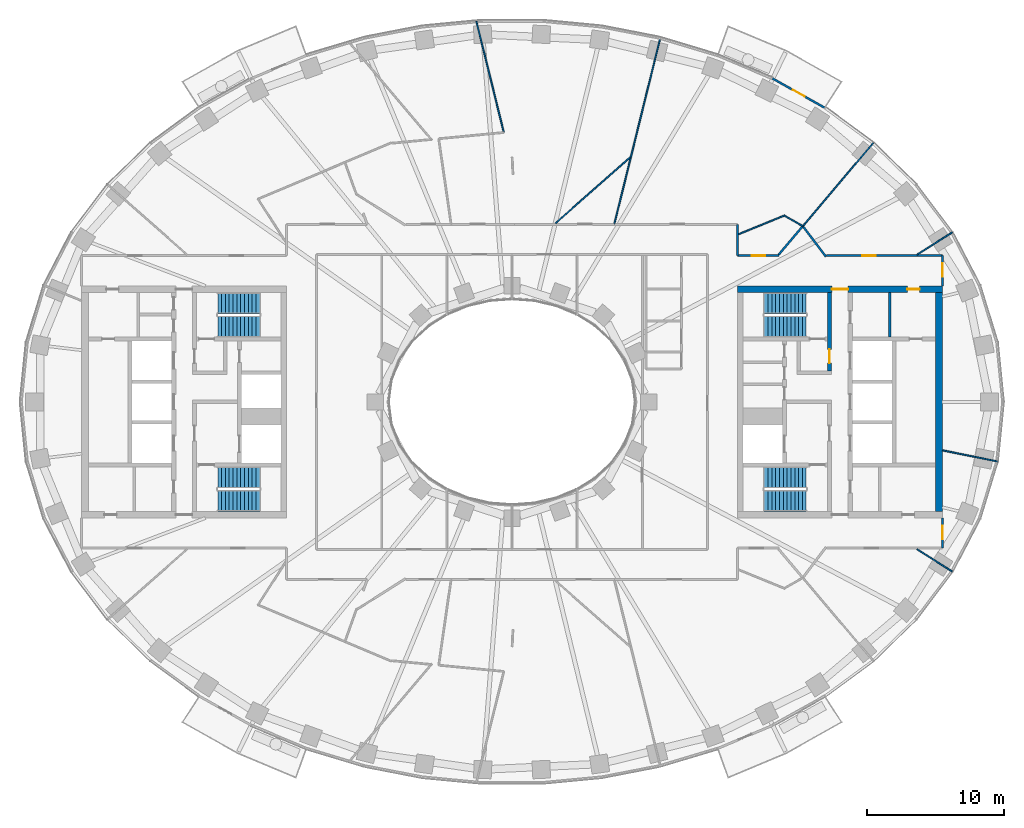
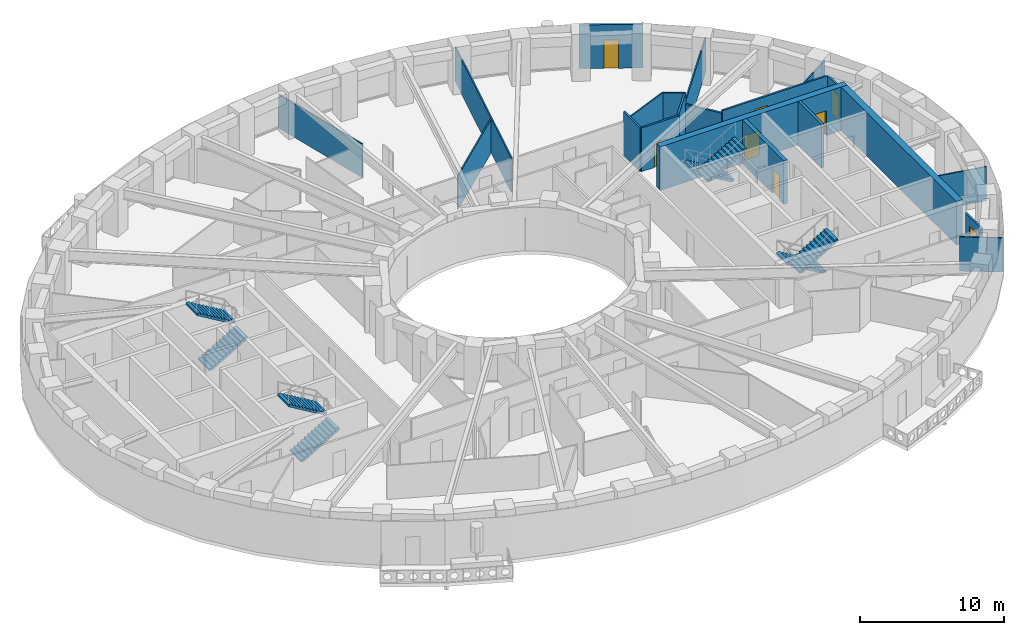
# One storey, part 7 of 15: 21 walls, 8 doors, 8 stair flights, 8 openings, 4 elements without a shape of their own.
"""IFC4 building model written with IfcOpenShell, lengths in metres."""

from ifc_helpers import new_model, si_unit, direction, frame, frame_2d, origin, place, context, subcontext, project, spatial, polyline, rectangle, outline, extrude, material, layer, layer_set, type_object, element, fill, aggregate, save


model = new_model("IFC4")

# Units and contexts
model_context = context("Model", 3, precision=1e-05, world=origin(), true_north=direction((0.0, 1.0)))
body_context = subcontext(model_context, "Body", "Model", "MODEL_VIEW")
ifc_project = project(units=[si_unit("LENGTHUNIT", "METRE"), si_unit("AREAUNIT", "SQUARE_METRE"), si_unit("VOLUMEUNIT", "CUBIC_METRE"), si_unit("PLANEANGLEUNIT", "RADIAN"), si_unit("MASSUNIT", "GRAM", prefix="KILO")], contexts=[model_context])

# Site, building, storey
site_placement = place(None, origin())
site = spatial("IfcSite", under=ifc_project, at=site_placement, CompositionType="ELEMENT")
building_placement = place(site_placement, origin())
building = spatial("IfcBuilding", under=site, at=building_placement, Name="Noorbagh Ring Tower", CompositionType="ELEMENT")
storey_placement = place(building_placement, frame((0.0, 0.0, 92.0)))
storey = spatial("IfcBuildingStorey", under=building, at=storey_placement, Name="L20", CompositionType="ELEMENT", Elevation=92.0)

# Wall
ifc_material_1 = material(Name="Gypsum board on steel studs", Category="steel")
ifc_layer_1 = layer(ifc_material_1, 0.199951171875)
ifc_layer_set_1 = layer_set([ifc_layer_1], Name="Gypsum board on steel studs")
wall_type_1 = type_object("IfcWallType", Name="CORE-PARTITION-200", PredefinedType="PARTITIONING", material=ifc_layer_set_1)
wall_1_placement = place(storey_placement, frame((27.64990234375, 4.75, 0.0), z_axis=(0.0, 0.0, 1.0), x_axis=(0.0, 1.0, 0.0)))
element("IfcWall", 1, at=wall_1_placement, inside=storey, type_object=wall_type_1, Name="Core partition E", PredefinedType="PARTITIONING", context=body_context, shape_type="SweptSolid", body=[
    extrude(rectangle(XDim=3.25, YDim=0.199951171875, at=frame_2d((1.625, 0.0))), origin(), (0.0, 0.0, 1.0), 3.699951171875),
])

# Wall, opening, door
ifc_material_2 = material(Name="Concrete C70/85", Category="concrete")
ifc_layer_2 = layer(ifc_material_2, 0.300048828125)
ifc_layer_set_2 = layer_set([ifc_layer_2], Name="Concrete C70/85")
wall_type_2 = type_object("IfcWallType", Name="CORE-WALL-300-C70-85-EI240", PredefinedType="SHEAR", material=ifc_layer_set_2)
wall_2_placement = place(storey_placement, frame((23.22998046875, 2.25, 0.0), z_axis=(0.0, 0.0, 1.0), x_axis=(0.0, 1.0, 0.0)))
wall_2 = element("IfcWall", 2, at=wall_2_placement, inside=storey, type_object=wall_type_2, Name="Core wall E", PredefinedType="SHEAR", context=body_context, shape_type="SweptSolid", body=[
    extrude(rectangle(XDim=5.75, YDim=0.300048828125, at=frame_2d((2.875, 0.0))), origin(), (0.0, 0.0, 1.0), 3.699951171875),
])
opening_1_placement = place(wall_2_placement, frame((0.60009765625, 0.0, 0.0)))
opening_1 = element("IfcOpeningElement", 3, at=opening_1_placement, cuts=wall_2, Name="Opening L20-CE08", PredefinedType="OPENING", context=body_context, shape_type="SweptSolid", body=[
    extrude(rectangle(XDim=1.0, YDim=2.10009765625, at=frame_2d((0.5, 1.050048828125))), frame((0.0, 0.16015625, 0.0), z_axis=(0.0, -1.0, 0.0), x_axis=(1.0, 0.0, 0.0)), (0.0, 0.0, 1.0), 0.320068359375),
])
ifc_material_3 = material(Name="Steel door leaf", Category="steel")
door_type_1 = type_object("IfcDoorType", Name="CORE-DOOR-DVEST", OperationType="SINGLE_SWING_LEFT", PredefinedType="DOOR", material=ifc_material_3)
door_1_placement = place(opening_1_placement, origin())
door_1 = element("IfcDoor", 4, at=door_1_placement, inside=storey, type_object=door_type_1, Name="Stair vestibule door L20-CE08", OperationType="SINGLE_SWING_RIGHT", OverallHeight=2.10009765625, OverallWidth=1.0, PredefinedType="DOOR", context=body_context, shape_type="SweptSolid", body=[
    extrude(rectangle(XDim=1.0, YDim=2.10009765625, at=frame_2d((0.5, 1.050048828125))), frame((0.0, 0.02490234375, 0.0), z_axis=(0.0, -1.0, 0.0), x_axis=(1.0, 0.0, 0.0)), (0.0, 0.0, 1.0), 0.050048828125),
])
fill(opening_1, door_1)

# Wall, openings, doors
ifc_material_4 = material(Name="Concrete C70/85", Category="concrete")
ifc_layer_3 = layer(ifc_material_4, 0.5)
ifc_layer_set_3 = layer_set([ifc_layer_3], Name="Concrete C70/85")
wall_type_3 = type_object("IfcWallType", Name="CORE-WALL-500-C70-85-EI240", PredefinedType="SHEAR", material=ifc_layer_set_3)
wall_3_placement = place(storey_placement, frame((16.5, 8.25, 0.0), z_axis=(0.0, 0.0, 1.0), x_axis=(1.0, 0.0, 0.0)))
wall_3 = element("IfcWall", 5, at=wall_3_placement, inside=storey, type_object=wall_type_3, Name="Core wall E", PredefinedType="SHEAR", context=body_context, shape_type="SweptSolid", body=[
    extrude(rectangle(XDim=15.0, YDim=0.5, at=frame_2d((7.5, 0.0))), origin(), (0.0, 0.0, 1.0), 3.699951171875),
])
opening_2_placement = place(wall_3_placement, frame((6.89990234375, 0.0, 0.0)))
opening_2 = element("IfcOpeningElement", 6, at=opening_2_placement, cuts=wall_3, Name="Opening L20-CE09", PredefinedType="OPENING", context=body_context, shape_type="SweptSolid", body=[
    extrude(rectangle(XDim=1.199951171875, YDim=2.10009765625, at=frame_2d((0.60009765625, 1.050048828125))), frame((0.0, 0.260009765625, 0.0), z_axis=(0.0, -1.0, 0.0), x_axis=(1.0, 0.0, 0.0)), (0.0, 0.0, 1.0), 0.52001953125),
])
opening_3_placement = place(wall_3_placement, frame((12.425048828125, 0.0, 0.0)))
opening_3 = element("IfcOpeningElement", 7, at=opening_3_placement, cuts=wall_3, Name="Opening L20-CE15", PredefinedType="OPENING", context=body_context, shape_type="SweptSolid", body=[
    extrude(rectangle(XDim=0.89990234375, YDim=2.10009765625, at=frame_2d((0.449951171875, 1.050048828125))), frame((0.0, 0.260009765625, 0.0), z_axis=(0.0, -1.0, 0.0), x_axis=(1.0, 0.0, 0.0)), (0.0, 0.0, 1.0), 0.52001953125),
])
ifc_material_5 = material(Name="Steel door leaf", Category="steel")
door_type_2 = type_object("IfcDoorType", Name="CORE-DOOR-DROOM", OperationType="SINGLE_SWING_LEFT", PredefinedType="DOOR", material=ifc_material_5)
door_2_placement = place(opening_3_placement, origin())
door_2 = element("IfcDoor", 8, at=door_2_placement, inside=storey, type_object=door_type_2, Name="Core room door L20-CE15", OperationType="SINGLE_SWING_LEFT", OverallHeight=2.10009765625, OverallWidth=0.89990234375, PredefinedType="DOOR", context=body_context, shape_type="SweptSolid", body=[
    extrude(rectangle(XDim=0.89990234375, YDim=2.10009765625, at=frame_2d((0.449951171875, 1.050048828125))), frame((0.0, 0.02490234375, 0.0), z_axis=(0.0, -1.0, 0.0), x_axis=(1.0, 0.0, 0.0)), (0.0, 0.0, 1.0), 0.050048828125),
])
fill(opening_3, door_2)
ifc_material_6 = material(Name="Steel door leaf", Category="steel")
door_type_3 = type_object("IfcDoorType", Name="CORE-DOOR-PORT", OperationType="DOUBLE_DOOR_DOUBLE_SWING", PredefinedType="DOOR", material=ifc_material_6)
door_3_placement = place(opening_2_placement, origin())
door_3 = element("IfcDoor", 9, at=door_3_placement, inside=storey, type_object=door_type_3, Name="Core entrance door L20-CE09", OperationType="DOUBLE_DOOR_DOUBLE_SWING", OverallHeight=2.10009765625, OverallWidth=1.199951171875, PredefinedType="DOOR", context=body_context, shape_type="SweptSolid", body=[
    extrude(rectangle(XDim=1.199951171875, YDim=2.10009765625, at=frame_2d((0.60009765625, 1.050048828125))), frame((0.0, 0.02490234375, 0.0), z_axis=(0.0, -1.0, 0.0), x_axis=(1.0, 0.0, 0.0)), (0.0, 0.0, 1.0), 0.050048828125),
])
fill(opening_2, door_3)

# Walls
wall_4_placement = place(storey_placement, frame((31.25, -8.0, 0.0), z_axis=(0.0, 0.0, 1.0), x_axis=(0.0, 1.0, 0.0)))
element("IfcWall", 10, at=wall_4_placement, inside=storey, type_object=wall_type_3, Name="Core wall E", PredefinedType="SHEAR", context=body_context, shape_type="SweptSolid", body=[
    extrude(rectangle(XDim=16.0, YDim=0.5, at=frame_2d((8.0, 0.0))), origin(), (0.0, 0.0, 1.0), 3.699951171875),
])
ifc_material_7 = material(Name="Gypsum board on steel studs", Category="steel")
ifc_layer_4 = layer(ifc_material_7, 0.14990234375)
ifc_layer_set_4 = layer_set([ifc_layer_4], Name="Gypsum board on steel studs")
wall_type_4 = type_object("IfcWallType", Name="CORRIDOR PARTITION 150 EI 30", PredefinedType="PARTITIONING", material=ifc_layer_set_4)
wall_5_placement = place(storey_placement, frame((16.5, 10.699951171875, 0.0), z_axis=(0.0, 0.0, 1.0), x_axis=(0.0, 1.0, 0.0)))
element("IfcWall", 11, at=wall_5_placement, inside=storey, type_object=wall_type_4, Name="L20/wall/P72", PredefinedType="PARTITIONING", context=body_context, shape_type="SweptSolid", body=[
    extrude(rectangle(XDim=2.300048828125, YDim=0.14990234375, at=frame_2d((1.14990234375, 0.0))), origin(), (0.0, 0.0, 1.0), 3.699951171875),
])

# Wall, opening, door
wall_6_placement = place(storey_placement, frame((16.5, 10.699951171875, 0.0), z_axis=(0.0, 0.0, 1.0), x_axis=(1.0, 0.0, 0.0)))
wall_6 = element("IfcWall", 12, at=wall_6_placement, inside=storey, type_object=wall_type_4, Name="L20/wall/P73", PredefinedType="PARTITIONING", context=body_context, shape_type="SweptSolid", body=[
    extrude(rectangle(XDim=3.04296875, YDim=0.14990234375, at=frame_2d((1.521484375, 0.0))), origin(), (0.0, 0.0, 1.0), 3.699951171875),
])
opening_4_placement = place(wall_6_placement, frame((1.044921875, 0.0, 0.0)))
opening_4 = element("IfcOpeningElement", 13, at=opening_4_placement, cuts=wall_6, Name="Opening D1", PredefinedType="OPENING", context=body_context, shape_type="SweptSolid", body=[
    extrude(rectangle(XDim=1.0, YDim=2.10009765625, at=frame_2d((0.5, 1.050048828125))), frame((0.0, 0.0849609375, 0.0), z_axis=(0.0, -1.0, 0.0), x_axis=(1.0, 0.0, 0.0)), (0.0, 0.0, 1.0), 0.169921875),
])
ifc_material_8 = material(Name="Timber, painted", Category="wood")
door_type_4 = type_object("IfcDoorType", Name="DOOR 1000 X 2100 FD30", OperationType="SINGLE_SWING_LEFT", PredefinedType="DOOR", material=ifc_material_8)
door_4_placement = place(opening_4_placement, origin())
door_4 = element("IfcDoor", 14, at=door_4_placement, inside=storey, type_object=door_type_4, Name="L20-D21", OperationType="SINGLE_SWING_LEFT", OverallHeight=2.10009765625, OverallWidth=1.0, PredefinedType="DOOR", context=body_context, shape_type="SweptSolid", body=[
    extrude(rectangle(XDim=1.0, YDim=2.10009765625, at=frame_2d((0.5, 1.050048828125))), frame((0.0, 0.02490234375, 0.0), z_axis=(0.0, -1.0, 0.0), x_axis=(1.0, 0.0, 0.0)), (0.0, 0.0, 1.0), 0.050048828125),
])
fill(opening_4, door_4)

# Walls
wall_7_placement = place(storey_placement, frame((19.510986328125, 10.778076171875, 0.0), z_axis=(0.0, 0.0, 1.0), x_axis=(0.64641426768, 0.762986628021, 0.0)))
element("IfcWall", 15, at=wall_7_placement, inside=storey, type_object=wall_type_4, Name="L20/wall/P77", PredefinedType="PARTITIONING", context=body_context, shape_type="SweptSolid", body=[
    extrude(rectangle(XDim=2.735107421875, YDim=0.14990234375, at=frame_2d((1.36767578125, 0.0))), origin(), (0.0, 0.0, 1.0), 3.699951171875),
])
wall_8_placement = place(storey_placement, frame((21.279052734375, 12.864990234375, 0.0), z_axis=(0.0, 0.0, 1.0), x_axis=(0.603433696796, -0.797413176196, 0.0)))
element("IfcWall", 16, at=wall_8_placement, inside=storey, type_object=wall_type_4, Name="L20/wall/P82", PredefinedType="PARTITIONING", context=body_context, shape_type="SweptSolid", body=[
    extrude(rectangle(XDim=2.805419921875, YDim=0.14990234375, at=frame_2d((1.40283203125, 0.0))), origin(), (0.0, 0.0, 1.0), 2.75),
])

# Wall, opening, door
wall_9_placement = place(storey_placement, frame((23.010986328125, 10.699951171875, 0.0), z_axis=(0.0, 0.0, 1.0), x_axis=(1.0, 0.0, 0.0)))
wall_9 = element("IfcWall", 17, at=wall_9_placement, inside=storey, type_object=wall_type_4, Name="L20/wall/P85", PredefinedType="PARTITIONING", context=body_context, shape_type="SweptSolid", body=[
    extrude(rectangle(XDim=8.489013671875, YDim=0.14990234375, at=frame_2d((4.24462890625, 0.0))), origin(), (0.0, 0.0, 1.0), 2.89990234375),
])
opening_5_placement = place(wall_9_placement, frame((2.610107421875, 0.0, 0.0)))
opening_5 = element("IfcOpeningElement", 18, at=opening_5_placement, cuts=wall_9, Name="Opening D1", PredefinedType="OPENING", context=body_context, shape_type="SweptSolid", body=[
    extrude(rectangle(XDim=1.0, YDim=2.10009765625, at=frame_2d((0.5, 1.050048828125))), frame((0.0, 0.0849609375, 0.0), z_axis=(0.0, -1.0, 0.0), x_axis=(1.0, 0.0, 0.0)), (0.0, 0.0, 1.0), 0.169921875),
])
door_5_placement = place(opening_5_placement, origin())
door_5 = element("IfcDoor", 19, at=door_5_placement, inside=storey, type_object=door_type_4, Name="L20-D23", OperationType="SINGLE_SWING_LEFT", OverallHeight=2.10009765625, OverallWidth=1.0, PredefinedType="DOOR", context=body_context, shape_type="SweptSolid", body=[
    extrude(rectangle(XDim=1.0, YDim=2.10009765625, at=frame_2d((0.5, 1.050048828125))), frame((0.0, 0.02490234375, 0.0), z_axis=(0.0, -1.0, 0.0), x_axis=(1.0, 0.0, 0.0)), (0.0, 0.0, 1.0), 0.050048828125),
])
fill(opening_5, door_5)

wall_10_placement = place(storey_placement, frame((31.5, -10.699951171875, 0.0), z_axis=(0.0, 0.0, 1.0), x_axis=(0.0, 1.0, 0.0)))
wall_10 = element("IfcWall", 20, at=wall_10_placement, inside=storey, type_object=wall_type_4, Name="L20/wall/P88", PredefinedType="PARTITIONING", context=body_context, shape_type="SweptSolid", body=[
    extrude(rectangle(XDim=2.199951171875, YDim=0.14990234375, at=frame_2d((1.10009765625, 0.0))), origin(), (0.0, 0.0, 1.0), 2.89990234375),
])
opening_6_placement = place(wall_10_placement, frame((0.64990234375, 0.0, 0.0)))
opening_6 = element("IfcOpeningElement", 21, at=opening_6_placement, cuts=wall_10, Name="Opening D1", PredefinedType="OPENING", context=body_context, shape_type="SweptSolid", body=[
    extrude(rectangle(XDim=1.0, YDim=2.10009765625, at=frame_2d((0.5, 1.050048828125))), frame((0.0, 0.0849609375, 0.0), z_axis=(0.0, -1.0, 0.0), x_axis=(1.0, 0.0, 0.0)), (0.0, 0.0, 1.0), 0.169921875),
])
door_6_placement = place(opening_6_placement, origin())
door_6 = element("IfcDoor", 22, at=door_6_placement, inside=storey, type_object=door_type_4, Name="L20-D24", OperationType="SINGLE_SWING_RIGHT", OverallHeight=2.10009765625, OverallWidth=1.0, PredefinedType="DOOR", context=body_context, shape_type="SweptSolid", body=[
    extrude(rectangle(XDim=1.0, YDim=2.10009765625, at=frame_2d((0.5, 1.050048828125))), frame((0.0, 0.02490234375, 0.0), z_axis=(0.0, -1.0, 0.0), x_axis=(1.0, 0.0, 0.0)), (0.0, 0.0, 1.0), 0.050048828125),
])
fill(opening_6, door_6)

wall_11_placement = place(storey_placement, frame((31.5, 8.5, 0.0), z_axis=(0.0, 0.0, 1.0), x_axis=(0.0, 1.0, 0.0)))
wall_11 = element("IfcWall", 23, at=wall_11_placement, inside=storey, type_object=wall_type_4, Name="L20/wall/P90", PredefinedType="PARTITIONING", context=body_context, shape_type="SweptSolid", body=[
    extrude(rectangle(XDim=2.199951171875, YDim=0.14990234375, at=frame_2d((1.10009765625, 0.0))), origin(), (0.0, 0.0, 1.0), 2.89990234375),
])
opening_7_placement = place(wall_11_placement, frame((0.64990234375, 0.0, 0.0)))
opening_7 = element("IfcOpeningElement", 24, at=opening_7_placement, cuts=wall_11, Name="Opening D1", PredefinedType="OPENING", context=body_context, shape_type="SweptSolid", body=[
    extrude(rectangle(XDim=1.0, YDim=2.10009765625, at=frame_2d((0.5, 1.050048828125))), frame((0.0, 0.0849609375, 0.0), z_axis=(0.0, -1.0, 0.0), x_axis=(1.0, 0.0, 0.0)), (0.0, 0.0, 1.0), 0.169921875),
])
door_7_placement = place(opening_7_placement, origin())
door_7 = element("IfcDoor", 25, at=door_7_placement, inside=storey, type_object=door_type_4, Name="L20-D25", OperationType="SINGLE_SWING_LEFT", OverallHeight=2.10009765625, OverallWidth=1.0, PredefinedType="DOOR", context=body_context, shape_type="SweptSolid", body=[
    extrude(rectangle(XDim=1.0, YDim=2.10009765625, at=frame_2d((0.5, 1.050048828125))), frame((0.0, 0.02490234375, 0.0), z_axis=(0.0, -1.0, 0.0), x_axis=(1.0, 0.0, 0.0)), (0.0, 0.0, 1.0), 0.050048828125),
])
fill(opening_7, door_7)

ifc_material_9 = material(Name="Insulated aluminium clad panel", Category="aluminium")
ifc_layer_5 = layer(ifc_material_9, 0.14990234375)
ifc_layer_set_5 = layer_set([ifc_layer_5], Name="Insulated aluminium clad panel")
wall_type_5 = type_object("IfcWallType", Name="ENV-WALL-DOOR", PredefinedType="STANDARD", material=ifc_layer_set_5)
wall_12_placement = place(storey_placement, frame((22.913330078125, 21.508544921875, 0.0), z_axis=(0.0, 0.0, 1.0), x_axis=(-0.872046572975, 0.489422899509, 0.0)))
wall_12 = element("IfcWall", 26, at=wall_12_placement, inside=storey, type_object=wall_type_5, Name="Balcony door wall chord 07", PredefinedType="STANDARD", context=body_context, shape_type="SweptSolid", body=[
    extrude(rectangle(XDim=4.425537109375, YDim=0.14990234375, at=frame_2d((2.212890625, 0.0))), origin(), (0.0, 0.0, 1.0), 3.699951171875),
])
opening_8_placement = place(wall_12_placement, frame((1.712646484375, 0.0, 0.0)))
opening_8 = element("IfcOpeningElement", 27, at=opening_8_placement, cuts=wall_12, Name="Opening D-BL", PredefinedType="OPENING", context=body_context, shape_type="SweptSolid", body=[
    extrude(rectangle(XDim=1.0, YDim=2.39990234375, at=frame_2d((0.5, 1.199951171875))), frame((0.0, 0.0849609375, 0.0), z_axis=(0.0, -1.0, 0.0), x_axis=(1.0, 0.0, 0.0)), (0.0, 0.0, 1.0), 0.169921875),
])
ifc_material_10 = material(Name="Aluminium and glass", Category="aluminium")
door_type_5 = type_object("IfcDoorType", Name="ENV-DOOR-BALCONY", OperationType="SINGLE_SWING_LEFT", PredefinedType="DOOR", material=ifc_material_10)
door_8_placement = place(opening_8_placement, origin())
door_8 = element("IfcDoor", 28, at=door_8_placement, inside=storey, type_object=door_type_5, Name="Balcony door chord 07", OperationType="SINGLE_SWING_LEFT", OverallHeight=2.39990234375, OverallWidth=1.0, PredefinedType="DOOR", context=body_context, shape_type="SweptSolid", body=[
    extrude(rectangle(XDim=1.0, YDim=2.39990234375, at=frame_2d((0.5, 1.199951171875))), frame((0.0, 0.02490234375, 0.0), z_axis=(0.0, -1.0, 0.0), x_axis=(1.0, 0.0, 0.0)), (0.0, 0.0, 1.0), 0.050048828125),
])
fill(opening_8, door_8)

# Walls
ifc_material_11 = material(Name="Gypsum board on steel studs", Category="steel")
ifc_layer_6 = layer(ifc_material_11, 0.10009765625)
ifc_layer_set_6 = layer_set([ifc_layer_6], Name="Gypsum board on steel studs")
wall_type_6 = type_object("IfcWallType", Name="PARTITION 100 GYPSUM", PredefinedType="PARTITIONING", material=ifc_layer_set_6)
wall_13_placement = place(storey_placement, frame((-2.60888671875, 27.85791015625, 0.0), z_axis=(0.0, 0.0, 1.0), x_axis=(0.239677840558, -0.970852477334, 0.0)))
element("IfcWall", 29, at=wall_13_placement, inside=storey, type_object=wall_type_6, Name="L20/wall/P43", PredefinedType="PARTITIONING", context=body_context, shape_type="SweptSolid", body=[
    extrude(rectangle(XDim=8.38525390625, YDim=0.10009765625, at=frame_2d((4.192626953125, 0.0))), origin(), (0.0, 0.0, 1.0), 2.85009765625),
])
wall_14_placement = place(storey_placement, frame((3.18701171875, 13.077880859375, 0.0), z_axis=(0.0, 0.0, 1.0), x_axis=(0.749027274438, 0.662539162728, 0.0)))
element("IfcWall", 30, at=wall_14_placement, inside=storey, type_object=wall_type_6, Name="L20/wall/P53", PredefinedType="PARTITIONING", context=body_context, shape_type="SweptSolid", body=[
    extrude(rectangle(XDim=7.282958984375, YDim=0.10009765625, at=frame_2d((3.6416015625, 0.0))), origin(), (0.0, 0.0, 1.0), 2.85009765625),
])
wall_15_placement = place(storey_placement, frame((7.48193359375, 13.0, 0.0), z_axis=(0.0, 0.0, 1.0), x_axis=(0.239829226485, 0.970815091623, 0.0)))
element("IfcWall", 31, at=wall_15_placement, inside=storey, type_object=wall_type_6, Name="L20/wall/P56", PredefinedType="PARTITIONING", context=body_context, shape_type="SweptSolid", body=[
    extrude(rectangle(XDim=14.05615234375, YDim=0.10009765625, at=frame_2d((7.028076171875, 0.0))), origin(), (0.0, 0.0, 1.0), 2.89990234375),
])
wall_16_placement = place(storey_placement, frame((16.5791015625, 12.27099609375, 0.0), z_axis=(0.0, 0.0, 1.0), x_axis=(0.925550138862, 0.378625065801, 0.0)))
element("IfcWall", 32, at=wall_16_placement, inside=storey, type_object=wall_type_6, Name="L20/wall/P75", PredefinedType="PARTITIONING", context=body_context, shape_type="SweptSolid", body=[
    extrude(rectangle(XDim=3.665771484375, YDim=0.10009765625, at=frame_2d((1.8330078125, 0.0))), origin(), (0.0, 0.0, 1.0), 3.699951171875),
])
wall_17_placement = place(storey_placement, frame((19.968994140625, 13.60400390625, 0.0), z_axis=(0.0, 0.0, 1.0), x_axis=(0.870976686736, -0.491324344158, 0.0)))
element("IfcWall", 33, at=wall_17_placement, inside=storey, type_object=wall_type_6, Name="L20/wall/P79", PredefinedType="PARTITIONING", context=body_context, shape_type="SweptSolid", body=[
    extrude(rectangle(XDim=1.504150390625, YDim=0.10009765625, at=frame_2d((0.751953125, 0.0))), origin(), (0.0, 0.0, 1.0), 3.699951171875),
])
wall_18_placement = place(storey_placement, frame((21.279052734375, 12.864990234375, 0.0), z_axis=(0.0, 0.0, 1.0), x_axis=(0.646395355102, 0.763002650652, 0.0)))
element("IfcWall", 34, at=wall_18_placement, inside=storey, type_object=wall_type_6, Name="L20/wall/P83", PredefinedType="PARTITIONING", context=body_context, shape_type="SweptSolid", body=[
    extrude(rectangle(XDim=7.968505859375, YDim=0.10009765625, at=frame_2d((3.984375, 0.0))), origin(), (0.0, 0.0, 1.0), 2.89990234375),
])
for number, where, z_axis, x_axis, name in (
    (35, (29.636962890625, -10.777099609375, 0.0), (0.0, 0.0, 1.0), (0.844810627195, -0.535065420467, 0.0), "L20/wall/P86"),
    (36, (29.636962890625, 10.777099609375, 0.0), (0.0, 0.0, 1.0), (0.844810627195, 0.535065420467, 0.0), "L20/wall/P87"),
):
    element("IfcWall", number, at=place(storey_placement, frame(where, z_axis=z_axis, x_axis=x_axis)), inside=storey, type_object=wall_type_6, Name=name, PredefinedType="PARTITIONING", context=body_context, shape_type="SweptSolid", body=[
        extrude(rectangle(XDim=3.0478515625, YDim=0.10009765625, at=frame_2d((1.52392578125, 0.0))), origin(), (0.0, 0.0, 1.0), 2.89990234375),
    ])
wall_19_placement = place(storey_placement, frame((31.5, -3.5419921875, 0.0), z_axis=(0.0, 0.0, 1.0), x_axis=(0.980357474535, -0.197228857227, 0.0)))
element("IfcWall", 37, at=wall_19_placement, inside=storey, type_object=wall_type_6, Name="L20/wall/P89", PredefinedType="PARTITIONING", context=body_context, shape_type="SweptSolid", body=[
    extrude(rectangle(XDim=4.09228515625, YDim=0.10009765625, at=frame_2d((2.046142578125, 0.0))), origin(), (0.0, 0.0, 1.0), 2.89990234375),
])

# Stair, stair flights
ifc_material_12 = material(Name="Concrete C40/50", Category="concrete")
stair_type = type_object("IfcStairType", Name="CORE-STAIR", PredefinedType="HALF_TURN_STAIR", material=ifc_material_12)
stair_1_placement = place(storey_placement, origin())
stair_1 = element("IfcStair", 38, at=stair_1_placement, inside=storey, type_object=stair_type, Name="L20 Exit stair ST1", PredefinedType="HALF_TURN_STAIR")
ifc_material_13 = material(Name="Concrete C40/50", Category="concrete")
stair_flight_type = type_object("IfcStairFlightType", Name="CORE-STAIR-FLIGHT", PredefinedType="STRAIGHT", material=ifc_material_13)
stair_flight_1_placement = place(storey_placement, frame((-21.530029296875, 5.52490234375, 0.0), z_axis=(0.0, 0.0, 1.0), x_axis=(1.0, 0.0, 0.0)))
stair_flight_1 = element("IfcStairFlight", 39, at=stair_flight_1_placement, type_object=stair_flight_type, Name="ST1 flight 1", NumberOfRisers=12, NumberOfTreads=11, PredefinedType="STRAIGHT", RiserHeight=0.166666667, TreadLength=0.28, context=body_context, shape_type="SweptSolid", body=[
    extrude(outline(polyline([(0.0, 0.0), (0.0, 0.166748046875), (0.280029296875, 0.166748046875), (0.280029296875, 0.333251953125), (0.56005859375, 0.333251953125), (0.56005859375, 0.5), (0.840087890625, 0.5), (0.840087890625, 0.666748046875), (1.1201171875, 0.666748046875), (1.1201171875, 0.833251953125), (1.39990234375, 0.833251953125), (1.39990234375, 1.0), (1.679931640625, 1.0), (1.679931640625, 1.166748046875), (1.9599609375, 1.166748046875), (1.9599609375, 1.333251953125), (2.239990234375, 1.333251953125), (2.239990234375, 1.5), (2.52001953125, 1.5), (2.52001953125, 1.666748046875), (2.800048828125, 1.666748046875), (2.800048828125, 1.833251953125), (3.080078125, 1.833251953125), (3.080078125, 2.0), (3.080078125, 1.658935546875), (0.29296875, 0.0), (0.0, 0.0)])), frame((0.0, 0.77490234375, 0.0), z_axis=(0.0, -1.0, 0.0), x_axis=(1.0, 0.0, 0.0)), (0.0, 0.0, 1.0), 1.550048828125),
])
stair_flight_2_placement = place(storey_placement, frame((-18.449951171875, 7.22509765625, 2.0), z_axis=(0.0, 0.0, 1.0), x_axis=(-1.0, 0.0, 0.0)))
stair_flight_2 = element("IfcStairFlight", 40, at=stair_flight_2_placement, type_object=stair_flight_type, Name="ST1 flight 2", NumberOfRisers=12, NumberOfTreads=11, PredefinedType="STRAIGHT", RiserHeight=0.166666667, TreadLength=0.28, context=body_context, shape_type="SweptSolid", body=[
    extrude(outline(polyline([(0.0, 0.0), (0.0, 0.166748046875), (0.280029296875, 0.166748046875), (0.280029296875, 0.333251953125), (0.56005859375, 0.333251953125), (0.56005859375, 0.5), (0.840087890625, 0.5), (0.840087890625, 0.666748046875), (1.1201171875, 0.666748046875), (1.1201171875, 0.833251953125), (1.39990234375, 0.833251953125), (1.39990234375, 1.0), (1.679931640625, 1.0), (1.679931640625, 1.166748046875), (1.9599609375, 1.166748046875), (1.9599609375, 1.333251953125), (2.239990234375, 1.333251953125), (2.239990234375, 1.5), (2.52001953125, 1.5), (2.52001953125, 1.666748046875), (2.800048828125, 1.666748046875), (2.800048828125, 1.833251953125), (3.080078125, 1.833251953125), (3.080078125, 2.0), (3.080078125, 1.658935546875), (0.29296875, 0.0), (0.0, 0.0)])), frame((0.0, 0.77490234375, 0.0), z_axis=(0.0, -1.0, 0.0), x_axis=(1.0, 0.0, 0.0)), (0.0, 0.0, 1.0), 1.550048828125),
])
aggregate(stair_1, [stair_flight_1, stair_flight_2])

stair_2_placement = place(storey_placement, origin())
stair_2 = element("IfcStair", 41, at=stair_2_placement, inside=storey, type_object=stair_type, Name="L20 Exit stair ST2", PredefinedType="HALF_TURN_STAIR")
stair_flight_3_placement = place(storey_placement, frame((-21.530029296875, -7.22509765625, 0.0), z_axis=(0.0, 0.0, 1.0), x_axis=(1.0, 0.0, 0.0)))
stair_flight_3 = element("IfcStairFlight", 42, at=stair_flight_3_placement, type_object=stair_flight_type, Name="ST2 flight 1", NumberOfRisers=12, NumberOfTreads=11, PredefinedType="STRAIGHT", RiserHeight=0.166666667, TreadLength=0.28, context=body_context, shape_type="SweptSolid", body=[
    extrude(outline(polyline([(0.0, 0.0), (0.0, 0.166748046875), (0.280029296875, 0.166748046875), (0.280029296875, 0.333251953125), (0.56005859375, 0.333251953125), (0.56005859375, 0.5), (0.840087890625, 0.5), (0.840087890625, 0.666748046875), (1.1201171875, 0.666748046875), (1.1201171875, 0.833251953125), (1.39990234375, 0.833251953125), (1.39990234375, 1.0), (1.679931640625, 1.0), (1.679931640625, 1.166748046875), (1.9599609375, 1.166748046875), (1.9599609375, 1.333251953125), (2.239990234375, 1.333251953125), (2.239990234375, 1.5), (2.52001953125, 1.5), (2.52001953125, 1.666748046875), (2.800048828125, 1.666748046875), (2.800048828125, 1.833251953125), (3.080078125, 1.833251953125), (3.080078125, 2.0), (3.080078125, 1.658935546875), (0.29296875, 0.0), (0.0, 0.0)])), frame((0.0, 0.77490234375, 0.0), z_axis=(0.0, -1.0, 0.0), x_axis=(1.0, 0.0, 0.0)), (0.0, 0.0, 1.0), 1.550048828125),
])
stair_flight_4_placement = place(storey_placement, frame((-18.449951171875, -5.52490234375, 2.0), z_axis=(0.0, 0.0, 1.0), x_axis=(-1.0, 0.0, 0.0)))
stair_flight_4 = element("IfcStairFlight", 43, at=stair_flight_4_placement, type_object=stair_flight_type, Name="ST2 flight 2", NumberOfRisers=12, NumberOfTreads=11, PredefinedType="STRAIGHT", RiserHeight=0.166666667, TreadLength=0.28, context=body_context, shape_type="SweptSolid", body=[
    extrude(outline(polyline([(0.0, 0.0), (0.0, 0.166748046875), (0.280029296875, 0.166748046875), (0.280029296875, 0.333251953125), (0.56005859375, 0.333251953125), (0.56005859375, 0.5), (0.840087890625, 0.5), (0.840087890625, 0.666748046875), (1.1201171875, 0.666748046875), (1.1201171875, 0.833251953125), (1.39990234375, 0.833251953125), (1.39990234375, 1.0), (1.679931640625, 1.0), (1.679931640625, 1.166748046875), (1.9599609375, 1.166748046875), (1.9599609375, 1.333251953125), (2.239990234375, 1.333251953125), (2.239990234375, 1.5), (2.52001953125, 1.5), (2.52001953125, 1.666748046875), (2.800048828125, 1.666748046875), (2.800048828125, 1.833251953125), (3.080078125, 1.833251953125), (3.080078125, 2.0), (3.080078125, 1.658935546875), (0.29296875, 0.0), (0.0, 0.0)])), frame((0.0, 0.77490234375, 0.0), z_axis=(0.0, -1.0, 0.0), x_axis=(1.0, 0.0, 0.0)), (0.0, 0.0, 1.0), 1.550048828125),
])
aggregate(stair_2, [stair_flight_3, stair_flight_4])

stair_3_placement = place(storey_placement, origin())
stair_3 = element("IfcStair", 44, at=stair_3_placement, inside=storey, type_object=stair_type, Name="L20 Exit stair ST3", PredefinedType="HALF_TURN_STAIR")
stair_flight_5_placement = place(storey_placement, frame((21.530029296875, 7.22509765625, 0.0), z_axis=(0.0, 0.0, 1.0), x_axis=(-1.0, 0.0, 0.0)))
stair_flight_5 = element("IfcStairFlight", 45, at=stair_flight_5_placement, type_object=stair_flight_type, Name="ST3 flight 1", NumberOfRisers=12, NumberOfTreads=11, PredefinedType="STRAIGHT", RiserHeight=0.166666667, TreadLength=0.28, context=body_context, shape_type="SweptSolid", body=[
    extrude(outline(polyline([(0.0, 0.0), (0.0, 0.166748046875), (0.280029296875, 0.166748046875), (0.280029296875, 0.333251953125), (0.56005859375, 0.333251953125), (0.56005859375, 0.5), (0.840087890625, 0.5), (0.840087890625, 0.666748046875), (1.1201171875, 0.666748046875), (1.1201171875, 0.833251953125), (1.39990234375, 0.833251953125), (1.39990234375, 1.0), (1.679931640625, 1.0), (1.679931640625, 1.166748046875), (1.9599609375, 1.166748046875), (1.9599609375, 1.333251953125), (2.239990234375, 1.333251953125), (2.239990234375, 1.5), (2.52001953125, 1.5), (2.52001953125, 1.666748046875), (2.800048828125, 1.666748046875), (2.800048828125, 1.833251953125), (3.080078125, 1.833251953125), (3.080078125, 2.0), (3.080078125, 1.658935546875), (0.29296875, 0.0), (0.0, 0.0)])), frame((0.0, 0.77490234375, 0.0), z_axis=(0.0, -1.0, 0.0), x_axis=(1.0, 0.0, 0.0)), (0.0, 0.0, 1.0), 1.550048828125),
])
stair_flight_6_placement = place(storey_placement, frame((18.449951171875, 5.52490234375, 2.0), z_axis=(0.0, 0.0, 1.0), x_axis=(1.0, 0.0, 0.0)))
stair_flight_6 = element("IfcStairFlight", 46, at=stair_flight_6_placement, type_object=stair_flight_type, Name="ST3 flight 2", NumberOfRisers=12, NumberOfTreads=11, PredefinedType="STRAIGHT", RiserHeight=0.166666667, TreadLength=0.28, context=body_context, shape_type="SweptSolid", body=[
    extrude(outline(polyline([(0.0, 0.0), (0.0, 0.166748046875), (0.280029296875, 0.166748046875), (0.280029296875, 0.333251953125), (0.56005859375, 0.333251953125), (0.56005859375, 0.5), (0.840087890625, 0.5), (0.840087890625, 0.666748046875), (1.1201171875, 0.666748046875), (1.1201171875, 0.833251953125), (1.39990234375, 0.833251953125), (1.39990234375, 1.0), (1.679931640625, 1.0), (1.679931640625, 1.166748046875), (1.9599609375, 1.166748046875), (1.9599609375, 1.333251953125), (2.239990234375, 1.333251953125), (2.239990234375, 1.5), (2.52001953125, 1.5), (2.52001953125, 1.666748046875), (2.800048828125, 1.666748046875), (2.800048828125, 1.833251953125), (3.080078125, 1.833251953125), (3.080078125, 2.0), (3.080078125, 1.658935546875), (0.29296875, 0.0), (0.0, 0.0)])), frame((0.0, 0.77490234375, 0.0), z_axis=(0.0, -1.0, 0.0), x_axis=(1.0, 0.0, 0.0)), (0.0, 0.0, 1.0), 1.550048828125),
])
aggregate(stair_3, [stair_flight_5, stair_flight_6])

stair_4_placement = place(storey_placement, origin())
stair_4 = element("IfcStair", 47, at=stair_4_placement, inside=storey, type_object=stair_type, Name="L20 Exit stair ST4", PredefinedType="HALF_TURN_STAIR")
stair_flight_7_placement = place(storey_placement, frame((21.530029296875, -5.52490234375, 0.0), z_axis=(0.0, 0.0, 1.0), x_axis=(-1.0, 0.0, 0.0)))
stair_flight_7 = element("IfcStairFlight", 48, at=stair_flight_7_placement, type_object=stair_flight_type, Name="ST4 flight 1", NumberOfRisers=12, NumberOfTreads=11, PredefinedType="STRAIGHT", RiserHeight=0.166666667, TreadLength=0.28, context=body_context, shape_type="SweptSolid", body=[
    extrude(outline(polyline([(0.0, 0.0), (0.0, 0.166748046875), (0.280029296875, 0.166748046875), (0.280029296875, 0.333251953125), (0.56005859375, 0.333251953125), (0.56005859375, 0.5), (0.840087890625, 0.5), (0.840087890625, 0.666748046875), (1.1201171875, 0.666748046875), (1.1201171875, 0.833251953125), (1.39990234375, 0.833251953125), (1.39990234375, 1.0), (1.679931640625, 1.0), (1.679931640625, 1.166748046875), (1.9599609375, 1.166748046875), (1.9599609375, 1.333251953125), (2.239990234375, 1.333251953125), (2.239990234375, 1.5), (2.52001953125, 1.5), (2.52001953125, 1.666748046875), (2.800048828125, 1.666748046875), (2.800048828125, 1.833251953125), (3.080078125, 1.833251953125), (3.080078125, 2.0), (3.080078125, 1.658935546875), (0.29296875, 0.0), (0.0, 0.0)])), frame((0.0, 0.77490234375, 0.0), z_axis=(0.0, -1.0, 0.0), x_axis=(1.0, 0.0, 0.0)), (0.0, 0.0, 1.0), 1.550048828125),
])
stair_flight_8_placement = place(storey_placement, frame((18.449951171875, -7.22509765625, 2.0), z_axis=(0.0, 0.0, 1.0), x_axis=(1.0, 0.0, 0.0)))
stair_flight_8 = element("IfcStairFlight", 49, at=stair_flight_8_placement, type_object=stair_flight_type, Name="ST4 flight 2", NumberOfRisers=12, NumberOfTreads=11, PredefinedType="STRAIGHT", RiserHeight=0.166666667, TreadLength=0.28, context=body_context, shape_type="SweptSolid", body=[
    extrude(outline(polyline([(0.0, 0.0), (0.0, 0.166748046875), (0.280029296875, 0.166748046875), (0.280029296875, 0.333251953125), (0.56005859375, 0.333251953125), (0.56005859375, 0.5), (0.840087890625, 0.5), (0.840087890625, 0.666748046875), (1.1201171875, 0.666748046875), (1.1201171875, 0.833251953125), (1.39990234375, 0.833251953125), (1.39990234375, 1.0), (1.679931640625, 1.0), (1.679931640625, 1.166748046875), (1.9599609375, 1.166748046875), (1.9599609375, 1.333251953125), (2.239990234375, 1.333251953125), (2.239990234375, 1.5), (2.52001953125, 1.5), (2.52001953125, 1.666748046875), (2.800048828125, 1.666748046875), (2.800048828125, 1.833251953125), (3.080078125, 1.833251953125), (3.080078125, 2.0), (3.080078125, 1.658935546875), (0.29296875, 0.0), (0.0, 0.0)])), frame((0.0, 0.77490234375, 0.0), z_axis=(0.0, -1.0, 0.0), x_axis=(1.0, 0.0, 0.0)), (0.0, 0.0, 1.0), 1.550048828125),
])
aggregate(stair_4, [stair_flight_7, stair_flight_8])

save(model, "model.ifc")
